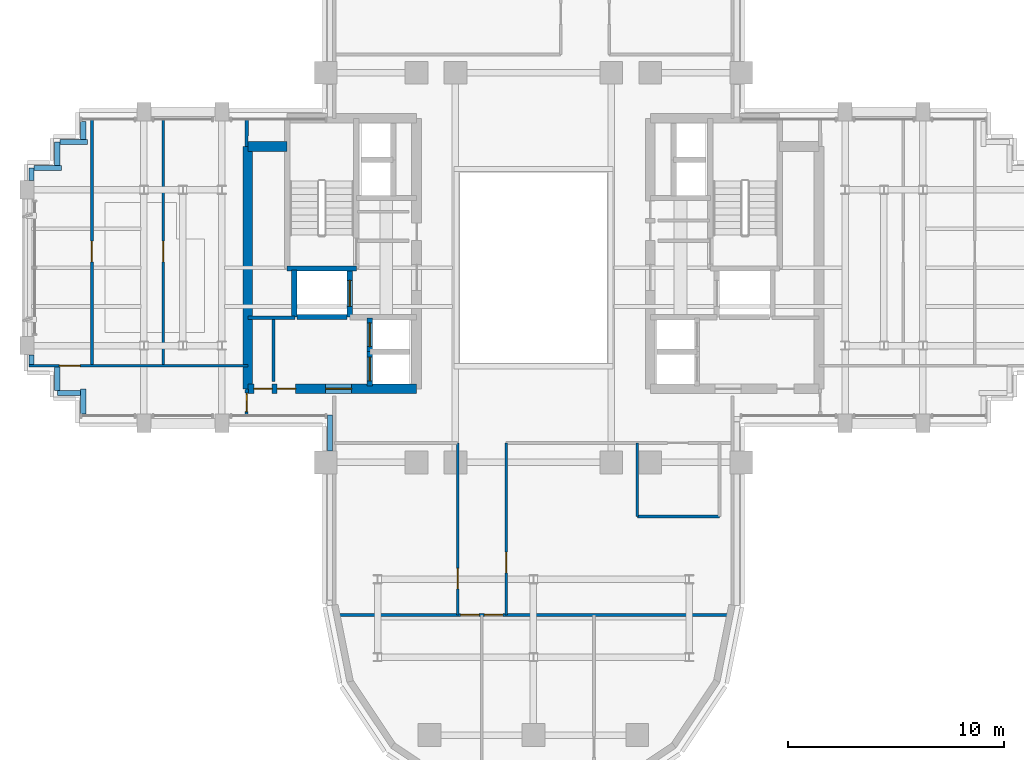
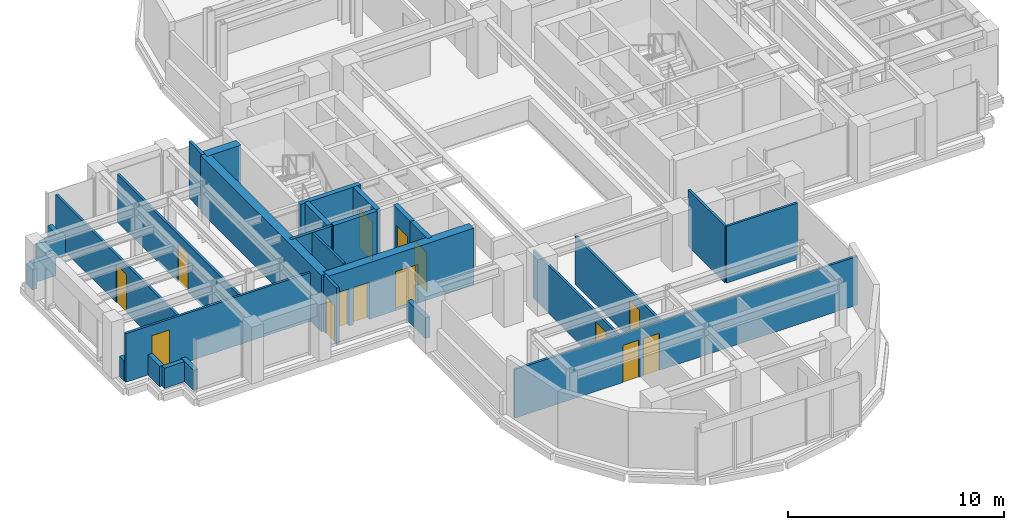
# One storey, part 8 of 14: 31 walls, 14 doors, 14 openings.
"""IFC4 building model written with IfcOpenShell, lengths in metres."""

import ifcopenshell
import ifcopenshell.guid

model = None  # the IFC model being written
_history = None  # IfcOwnerHistory: only IFC2X3 demands one
_inside = {}  # id of a spatial element -> (the spatial element, [elements in it])
_under = {}  # id of a project, library or spatial element -> (it, [spatial elements below it])
_declared = {}  # id of a project -> (the project, [libraries it declares])
_typed = {}  # id of a type object -> (the type object, [elements of that type])
_made_of = {}  # id of a material, layer set ... -> (it, [elements and type objects made of it])


def new_model(schema):
    """Start an empty IFC model of exactly this schema.

    Asked for "IFC4X3", IfcOpenShell would pick the latest addendum, in which some entities
    have other attributes; the version numbers below select the first issue.
    IFC2X3 requires an IfcOwnerHistory on every rooted entity: one is made here for all.
    """
    global model, _history
    if schema == "IFC4X3":
        model = ifcopenshell.file(schema_version=(4, 3, 0, 0))
    else:
        model = ifcopenshell.file(schema=schema)
    _inside.clear()
    _under.clear()
    _declared.clear()
    _typed.clear()
    _made_of.clear()
    _history = None
    if model.schema == "IFC2X3":
        org = make("IfcOrganization", Name="unknown")
        user = make(
            "IfcPersonAndOrganization",
            ThePerson=make("IfcPerson", FamilyName="unknown"),
            TheOrganization=org,
        )
        app = make(
            "IfcApplication",
            ApplicationDeveloper=org,
            Version="unknown",
            ApplicationFullName="unknown",
            ApplicationIdentifier="unknown",
        )
        _history = make(
            "IfcOwnerHistory",
            OwningUser=user,
            OwningApplication=app,
            ChangeAction="ADDED",
            CreationDate=0,
        )
    return model


def make(cls, **values):
    """One entity of the class cls with the attributes given. An attribute that is None is left unset."""
    return model.create_entity(
        cls, **{name: value for name, value in values.items() if value is not None}
    )


def rooted(cls, **values):
    """An entity with a GlobalId (a new one), such as an element, a storey or a relation."""
    return make(cls, GlobalId=ifcopenshell.guid.new(), OwnerHistory=_history, **values)


def si_unit(unit_type, name, prefix=None):
    """IfcSIUnit, for example si_unit("LENGTHUNIT", "METRE", prefix="MILLI")."""
    return make("IfcSIUnit", UnitType=unit_type, Prefix=prefix, Name=name)


def assignment(units):
    """IfcUnitAssignment: the units of a project."""
    return None if units is None else make("IfcUnitAssignment", Units=units)


def point(xyz):
    """IfcCartesianPoint."""
    return None if xyz is None else make("IfcCartesianPoint", Coordinates=xyz)


def direction(xyz):
    """IfcDirection."""
    return None if xyz is None else make("IfcDirection", DirectionRatios=xyz)


def frame(location, z_axis=None, x_axis=None):
    """IfcAxis2Placement3D, a coordinate frame: its origin and axes. An axis left out is left unset."""
    return make(
        "IfcAxis2Placement3D",
        Location=point(location),
        Axis=direction(z_axis),
        RefDirection=direction(x_axis),
    )


def frame_2d(location, x_axis=None):
    """IfcAxis2Placement2D, a coordinate frame in the plane: its origin and x axis."""
    return make(
        "IfcAxis2Placement2D", Location=point(location), RefDirection=direction(x_axis)
    )


def origin():
    """The frame at (0, 0, 0) with its axes left unset."""
    return frame((0.0, 0.0, 0.0))


def place(relative_to, where):
    """IfcLocalPlacement: puts the frame where relative to a parent placement (None: the world)."""
    return make(
        "IfcLocalPlacement", PlacementRelTo=relative_to, RelativePlacement=where
    )


def context(
    kind, dimensions, precision=None, world=None, true_north=None, identifier=None
):
    """IfcGeometricRepresentationContext, for example the 3D "Model" context."""
    return make(
        "IfcGeometricRepresentationContext",
        ContextIdentifier=identifier,
        ContextType=kind,
        CoordinateSpaceDimension=dimensions,
        Precision=precision,
        WorldCoordinateSystem=world,
        TrueNorth=true_north,
    )


def subcontext(parent, identifier, kind, view, scale=None):
    """IfcGeometricRepresentationSubContext, for example "Body" below "Model"."""
    return make(
        "IfcGeometricRepresentationSubContext",
        ContextIdentifier=identifier,
        ContextType=kind,
        ParentContext=parent,
        TargetScale=scale,
        TargetView=view,
    )


def project(units=None, contexts=None):
    """IfcProject with its units and contexts."""
    return rooted(
        "IfcProject",
        Name="project",
        RepresentationContexts=contexts,
        UnitsInContext=assignment(units),
    )


def spatial(cls, under=None, at=None, **own):
    """A site, building, storey or space (cls), placed at a placement, below another one or the project."""
    s = rooted(cls, ObjectPlacement=at, **own)
    if under is not None:
        _under.setdefault(under.id(), (under, []))[1].append(s)
    return s


def profile(cls, at=None, kind="AREA", **sizes):
    """A parametric profile (cls). Its sizes go by their IFC names, for example OverallWidth=200.0."""
    return make(cls, ProfileType=kind, Position=at, **sizes)


def rectangle(**sizes):
    """IfcRectangleProfileDef."""
    return profile("IfcRectangleProfileDef", **sizes)


def extrude(swept, where, along, depth):
    """IfcExtrudedAreaSolid: the profile swept, set in the frame where, extruded along a direction by depth."""
    return make(
        "IfcExtrudedAreaSolid",
        SweptArea=swept,
        Position=where,
        ExtrudedDirection=direction(along),
        Depth=depth,
    )


def shape(context_of_items, identifier, shape_type, items):
    """IfcShapeRepresentation: the items that make up one representation, for example the "Body"."""
    return make(
        "IfcShapeRepresentation",
        ContextOfItems=context_of_items,
        RepresentationIdentifier=identifier,
        RepresentationType=shape_type,
        Items=items,
    )


def source(mapping_origin, context_of_items, identifier, shape_type, items):
    """IfcRepresentationMap: a shape defined once, which mapped items show again and again."""
    return make(
        "IfcRepresentationMap",
        MappingOrigin=mapping_origin,
        MappedRepresentation=shape(context_of_items, identifier, shape_type, items),
    )


def transform(
    local_origin,
    x_axis=None,
    y_axis=None,
    z_axis=None,
    scale=None,
    scale2=None,
    scale3=None,
    uniform=True,
):
    """IfcCartesianTransformationOperator3D, or its non-uniform kind. x_axis, y_axis, z_axis: its Axis1, 2, 3."""
    if uniform:
        return make(
            "IfcCartesianTransformationOperator3D",
            Axis1=direction(x_axis),
            Axis2=direction(y_axis),
            LocalOrigin=point(local_origin),
            Scale=scale,
            Axis3=direction(z_axis),
        )
    return make(
        "IfcCartesianTransformationOperator3DnonUniform",
        Axis1=direction(x_axis),
        Axis2=direction(y_axis),
        LocalOrigin=point(local_origin),
        Scale=scale,
        Axis3=direction(z_axis),
        Scale2=scale2,
        Scale3=scale3,
    )


def mapped(mapping_source, mapping_target):
    """IfcMappedItem: shows the shape of a source again, moved by a transform."""
    return make(
        "IfcMappedItem", MappingSource=mapping_source, MappingTarget=mapping_target
    )


def material(Name=None, Category=None):
    """IfcMaterial."""
    return make("IfcMaterial", Name=Name, Category=Category)


def layer(
    of_material, thickness, ventilated=None, Name=None, Category=None, Priority=None
):
    """IfcMaterialLayer: one layer of a wall or slab, of a material (None: an air gap)."""
    return make(
        "IfcMaterialLayer",
        Material=of_material,
        LayerThickness=thickness,
        IsVentilated=ventilated,
        Name=Name,
        Category=Category,
        Priority=Priority,
    )


def layer_set(layers, Name=None):
    """IfcMaterialLayerSet."""
    return make("IfcMaterialLayerSet", MaterialLayers=layers, LayerSetName=Name)


def made_of(thing, what):
    """Note that an element or type object is made of a material, layer set ...; save() writes the relation."""
    if what is not None:
        _made_of.setdefault(what.id(), (what, []))[1].append(thing)
    return thing


def type_object(cls, material=None, **own):
    """A type object (cls), such as IfcWallType, which elements share."""
    return made_of(rooted(cls, **own), material)


def element(
    cls,
    number,
    at=None,
    inside=None,
    cuts=None,
    type_object=None,
    material=None,
    context=None,
    identifier="Body",
    shape_type=None,
    held_by="IfcProductDefinitionShape",
    body=None,
    shapes=None,
    **own,
):
    """One element of the class cls, such as IfcWall. Its Tag is "e" and its number.

    at: its placement. inside: the storey or other place that contains it. cuts: it is an
    opening in that element (IfcRelVoidsElement). A single representation is given by context,
    identifier, shape_type and body (its items); several are given by shapes. held_by: the class
    of the entity that holds the representations. save() writes the other relations.
    """
    e = rooted(cls, Tag="e%d" % number, ObjectPlacement=at, **own)
    if body is not None:
        shapes = [shape(context, identifier, shape_type, body)]
    if shapes is not None:
        e.Representation = make(held_by, Representations=shapes)
    if inside is not None:
        _inside.setdefault(inside.id(), (inside, []))[1].append(e)
    if cuts is not None:
        rooted(
            "IfcRelVoidsElement", RelatingBuildingElement=cuts, RelatedOpeningElement=e
        )
    if type_object is not None:
        _typed.setdefault(type_object.id(), (type_object, []))[1].append(e)
    return made_of(e, material)


def fill(opening, filler):
    """IfcRelFillsElement: the door or window that sits in an opening."""
    return rooted(
        "IfcRelFillsElement",
        RelatingOpeningElement=opening,
        RelatedBuildingElement=filler,
    )


def aggregate(whole, parts):
    """IfcRelAggregates: a whole, such as a stair, and the parts it consists of."""
    return rooted("IfcRelAggregates", RelatingObject=whole, RelatedObjects=parts)


def save(model, path):
    """Write the relations noted so far, then the file.

    IfcRelAggregates (storeys below a building ...), IfcRelContainedInSpatialStructure (elements
    in a storey), IfcRelDefinesByType, IfcRelAssociatesMaterial and IfcRelDeclares: one each for
    every whole, place, type object, material and project.
    """
    for whole, parts in _under.values():
        aggregate(whole, parts)
    for where, things in _inside.values():
        rooted(
            "IfcRelContainedInSpatialStructure",
            RelatedElements=things,
            RelatingStructure=where,
        )
    for kind, things in _typed.values():
        rooted("IfcRelDefinesByType", RelatedObjects=things, RelatingType=kind)
    for what, things in _made_of.values():
        rooted("IfcRelAssociatesMaterial", RelatedObjects=things, RelatingMaterial=what)
    for by, libraries in _declared.values():
        rooted("IfcRelDeclares", RelatingContext=by, RelatedDefinitions=libraries)
    model.write(path)


model = new_model("IFC4")

# Units and contexts
model_context = context("Model", 3, precision=1e-05, world=origin(), true_north=direction((0.0, 1.0)))
body_context = subcontext(model_context, "Body", "Model", "MODEL_VIEW")
ifc_project = project(units=[si_unit("LENGTHUNIT", "METRE"), si_unit("AREAUNIT", "SQUARE_METRE"), si_unit("VOLUMEUNIT", "CUBIC_METRE"), si_unit("PLANEANGLEUNIT", "RADIAN"), si_unit("MASSUNIT", "GRAM", prefix="KILO")], contexts=[model_context])

# Site, building, storey
site_placement = place(None, origin())
site = spatial("IfcSite", under=ifc_project, at=site_placement, CompositionType="ELEMENT")
building_placement = place(site_placement, origin())
building = spatial("IfcBuilding", under=site, at=building_placement, Name="Keilestroom Media Tower", CompositionType="ELEMENT")
storey_placement = place(building_placement, frame((0.0, 0.0, 121.0)))
storey = spatial("IfcBuildingStorey", under=building, at=storey_placement, Name="L32", CompositionType="ELEMENT", Elevation=121.0)

# Wall
ifc_material_1 = material(Name="Gypsum Plasterboard & Steel Stud", Category="steel")
ifc_layer_1 = layer(ifc_material_1, 0.1201171875)
ifc_layer_set_1 = layer_set([ifc_layer_1], Name="Gypsum Plasterboard & Steel Stud")
wall_type_1 = type_object("IfcWallType", Name="Interior-Partition-Wall-120", PredefinedType="PARTITIONING", material=ifc_layer_set_1)
wall_1_placement = place(storey_placement, frame((-12.010009765625, -5.260009765625, 0.0), z_axis=(0.0, 0.0, 1.0), x_axis=(0.0, 1.0, 0.0)))
element("IfcWall", 1, at=wall_1_placement, inside=storey, type_object=wall_type_1, Name="L32 Interior Wall WP-L32-RECLW-M", PredefinedType="PARTITIONING", context=body_context, shape_type="SweptSolid", body=[
    extrude(rectangle(XDim=2.93994140625, YDim=0.1201171875, at=frame_2d((1.469970703125, 0.0))), origin(), (0.0, 0.0, 1.0), 3.199951171875),
])

# Wall, opening, door
wall_2_placement = place(storey_placement, frame((-3.5, -16.050048828125, 0.0), z_axis=(0.0, 0.0, 1.0), x_axis=(0.0, 1.0, 0.0)))
wall_2 = element("IfcWall", 2, at=wall_2_placement, inside=storey, type_object=wall_type_1, Name="L32 Interior Wall WP-L32-SL-SPW", PredefinedType="PARTITIONING", context=body_context, shape_type="SweptSolid", body=[
    extrude(rectangle(XDim=7.949951171875, YDim=0.1201171875, at=frame_2d((3.97509765625, 0.0))), origin(), (0.0, 0.0, 1.0), 2.699951171875),
])
opening_1_placement = place(wall_2_placement, frame((1.199951171875, 0.0, 0.0)))
opening_1 = element("IfcOpeningElement", 3, at=opening_1_placement, cuts=wall_2, Name="Opening DI-03", PredefinedType="OPENING", context=body_context, shape_type="SweptSolid", body=[
    extrude(rectangle(XDim=0.949951171875, YDim=2.14990234375, at=frame_2d((0.47509765625, 1.074951171875))), frame((0.0, 0.070068359375, 0.0), z_axis=(0.0, -1.0, 0.0), x_axis=(1.0, 0.0, 0.0)), (0.0, 0.0, 1.0), 0.14013671875),
])
ifc_material_2 = material(Name="Lacquered European Oak Leaf", Category="wood")
door_type_1 = type_object("IfcDoorType", Name="Interior-Room-And-Suite-Door-DI-03", OperationType="NOTDEFINED", PredefinedType="DOOR", material=ifc_material_2)
shared_shape_1 = source(origin(), body_context, "Body", "SweptSolid", [
    extrude(rectangle(XDim=0.949951171875, YDim=2.14990234375, at=frame_2d((0.47509765625, 1.074951171875))), frame((0.0, 0.02490234375, 0.0), z_axis=(0.0, -1.0, 0.0), x_axis=(1.0, 0.0, 0.0)), (0.0, 0.0, 1.0), 0.050048828125),
])
door_1_placement = place(opening_1_placement, origin())
door_1 = element("IfcDoor", 4, at=door_1_placement, inside=storey, type_object=door_type_1, Name="L32 Interior Door DI-L32-DSL-W1", OperationType="SINGLE_SWING_RIGHT", OverallHeight=2.14990234375, OverallWidth=0.949951171875, PredefinedType="DOOR", context=body_context, shape_type="MappedRepresentation", body=[
    mapped(shared_shape_1, transform((0.0, 0.0, 0.0), x_axis=(1.0, 0.0, 0.0), y_axis=(0.0, 1.0, 0.0), z_axis=(0.0, 0.0, 1.0), scale=1.0)),
])
fill(opening_1, door_1)

wall_3_placement = place(storey_placement, frame((-1.260009765625, -16.050048828125, 0.0), z_axis=(0.0, 0.0, 1.0), x_axis=(0.0, 1.0, 0.0)))
wall_3 = element("IfcWall", 5, at=wall_3_placement, inside=storey, type_object=wall_type_1, Name="L32 Interior Wall WP-L32-SL-SPE", PredefinedType="PARTITIONING", context=body_context, shape_type="SweptSolid", body=[
    extrude(rectangle(XDim=7.949951171875, YDim=0.1201171875, at=frame_2d((3.97509765625, 0.0))), origin(), (0.0, 0.0, 1.0), 2.699951171875),
])
opening_2_placement = place(wall_3_placement, frame((1.949951171875, 0.0, 0.0)))
opening_2 = element("IfcOpeningElement", 6, at=opening_2_placement, cuts=wall_3, Name="Opening DI-03", PredefinedType="OPENING", context=body_context, shape_type="SweptSolid", body=[
    extrude(rectangle(XDim=0.949951171875, YDim=2.14990234375, at=frame_2d((0.47509765625, 1.074951171875))), frame((0.0, 0.070068359375, 0.0), z_axis=(0.0, -1.0, 0.0), x_axis=(1.0, 0.0, 0.0)), (0.0, 0.0, 1.0), 0.14013671875),
])
door_2_placement = place(opening_2_placement, origin())
door_2 = element("IfcDoor", 7, at=door_2_placement, inside=storey, type_object=door_type_1, Name="L32 Interior Door DI-L32-DSL-E1", OperationType="SINGLE_SWING_LEFT", OverallHeight=2.14990234375, OverallWidth=0.949951171875, PredefinedType="DOOR", context=body_context, shape_type="MappedRepresentation", body=[
    mapped(shared_shape_1, transform((0.0, 0.0, 0.0), x_axis=(1.0, 0.0, 0.0), y_axis=(0.0, 1.0, 0.0), z_axis=(0.0, 0.0, 1.0), scale=1.0)),
])
fill(opening_2, door_2)

# Wall, openings, doors
wall_4_placement = place(storey_placement, frame((-9.159912109375, -16.050048828125, 0.0), z_axis=(0.0, 0.0, 1.0), x_axis=(1.0, 0.0, 0.0)))
wall_4 = element("IfcWall", 8, at=wall_4_placement, inside=storey, type_object=wall_type_1, Name="L32 Interior Wall WP-L32-SL-STIPW", PredefinedType="PARTITIONING", context=body_context, shape_type="SweptSolid", body=[
    extrude(rectangle(XDim=18.31982421875, YDim=0.1201171875, at=frame_2d((9.159912109375, 0.0))), origin(), (0.0, 0.0, 1.0), 2.75),
])
opening_3_placement = place(wall_4_placement, frame((5.800048828125, 0.0, 0.0)))
opening_3 = element("IfcOpeningElement", 9, at=opening_3_placement, cuts=wall_4, Name="Opening DI-05", PredefinedType="OPENING", context=body_context, shape_type="SweptSolid", body=[
    extrude(rectangle(XDim=0.85009765625, YDim=2.10009765625, at=frame_2d((0.425048828125, 1.050048828125))), frame((0.0, 0.070068359375, 0.0), z_axis=(0.0, -1.0, 0.0), x_axis=(1.0, 0.0, 0.0)), (0.0, 0.0, 1.0), 0.14013671875),
])
opening_4_placement = place(wall_4_placement, frame((6.89990234375, 0.0, 0.0)))
opening_4 = element("IfcOpeningElement", 10, at=opening_4_placement, cuts=wall_4, Name="Opening DI-05", PredefinedType="OPENING", context=body_context, shape_type="SweptSolid", body=[
    extrude(rectangle(XDim=0.85009765625, YDim=2.10009765625, at=frame_2d((0.425048828125, 1.050048828125))), frame((0.0, 0.070068359375, 0.0), z_axis=(0.0, -1.0, 0.0), x_axis=(1.0, 0.0, 0.0)), (0.0, 0.0, 1.0), 0.14013671875),
])
ifc_material_3 = material(Name="Moisture-Resistant Oak Leaf", Category="wood")
door_type_2 = type_object("IfcDoorType", Name="Interior-En-Suite-And-Cupboard-Door-DI-05", OperationType="NOTDEFINED", PredefinedType="DOOR", material=ifc_material_3)
shared_shape_2 = source(origin(), body_context, "Body", "SweptSolid", [
    extrude(rectangle(XDim=0.85009765625, YDim=2.10009765625, at=frame_2d((0.425048828125, 1.050048828125))), frame((0.0, 0.02490234375, 0.0), z_axis=(0.0, -1.0, 0.0), x_axis=(1.0, 0.0, 0.0)), (0.0, 0.0, 1.0), 0.050048828125),
])
door_3_placement = place(opening_3_placement, origin())
door_3 = element("IfcDoor", 11, at=door_3_placement, inside=storey, type_object=door_type_2, Name="L32 Interior Door DI-L32-DSL-TIP1", OperationType="SINGLE_SWING_RIGHT", OverallHeight=2.10009765625, OverallWidth=0.85009765625, PredefinedType="DOOR", context=body_context, shape_type="MappedRepresentation", body=[
    mapped(shared_shape_2, transform((0.0, 0.0, 0.0), x_axis=(1.0, 0.0, 0.0), y_axis=(0.0, 1.0, 0.0), z_axis=(0.0, 0.0, 1.0), scale=1.0)),
])
fill(opening_3, door_3)
door_4_placement = place(opening_4_placement, origin())
door_4 = element("IfcDoor", 12, at=door_4_placement, inside=storey, type_object=door_type_2, Name="L32 Interior Door DI-L32-DSL-TIP2", OperationType="SINGLE_SWING_LEFT", OverallHeight=2.10009765625, OverallWidth=0.85009765625, PredefinedType="DOOR", context=body_context, shape_type="MappedRepresentation", body=[
    mapped(shared_shape_2, transform((0.0, 0.0, 0.0), x_axis=(1.0, 0.0, 0.0), y_axis=(0.0, 1.0, 0.0), z_axis=(0.0, 0.0, 1.0), scale=1.0)),
])
fill(opening_4, door_4)

# Walls
wall_5_placement = place(storey_placement, frame((4.800048828125, -11.5, 0.0), z_axis=(0.0, 0.0, 1.0), x_axis=(1.0, 0.0, 0.0)))
element("IfcWall", 13, at=wall_5_placement, inside=storey, type_object=wall_type_1, Name="L32 Interior Wall WP-L32-SL-WC-S", PredefinedType="PARTITIONING", context=body_context, shape_type="SweptSolid", body=[
    extrude(rectangle(XDim=3.800048828125, YDim=0.1201171875, at=frame_2d((1.89990234375, 0.0))), origin(), (0.0, 0.0, 1.0), 3.199951171875),
])
wall_6_placement = place(storey_placement, frame((4.800048828125, -11.5, 0.0), z_axis=(0.0, 0.0, 1.0), x_axis=(0.0, 1.0, 0.0)))
element("IfcWall", 14, at=wall_6_placement, inside=storey, type_object=wall_type_1, Name="L32 Interior Wall WP-L32-SL-WC-W", PredefinedType="PARTITIONING", context=body_context, shape_type="SweptSolid", body=[
    extrude(rectangle(XDim=3.39990234375, YDim=0.1201171875, at=frame_2d((1.699951171875, 0.0))), origin(), (0.0, 0.0, 1.0), 3.199951171875),
])

# Wall, opening, door
wall_7_placement = place(storey_placement, frame((-23.300048828125, -4.530029296875, 0.0), z_axis=(0.0, 0.0, 1.0), x_axis=(1.0, 0.0, 0.0)))
wall_7 = element("IfcWall", 15, at=wall_7_placement, inside=storey, type_object=wall_type_1, Name="L32 Interior Wall WP-L32-WA-CN", PredefinedType="PARTITIONING", context=body_context, shape_type="SweptSolid", body=[
    extrude(rectangle(XDim=10.10009765625, YDim=0.1201171875, at=frame_2d((5.050048828125, 0.0))), origin(), (0.0, 0.0, 1.0), 2.75),
])
opening_5_placement = place(wall_7_placement, frame((1.39990234375, 0.0, 0.0)))
opening_5 = element("IfcOpeningElement", 16, at=opening_5_placement, cuts=wall_7, Name="Opening DI-03", PredefinedType="OPENING", context=body_context, shape_type="SweptSolid", body=[
    extrude(rectangle(XDim=0.949951171875, YDim=2.14990234375, at=frame_2d((0.47509765625, 1.074951171875))), frame((0.0, 0.070068359375, 0.0), z_axis=(0.0, -1.0, 0.0), x_axis=(1.0, 0.0, 0.0)), (0.0, 0.0, 1.0), 0.14013671875),
])
door_5_placement = place(opening_5_placement, origin())
door_5 = element("IfcDoor", 17, at=door_5_placement, inside=storey, type_object=door_type_1, Name="L32 Interior Door DI-L32-DWA-RN1", OperationType="SINGLE_SWING_LEFT", OverallHeight=2.14990234375, OverallWidth=0.949951171875, PredefinedType="DOOR", context=body_context, shape_type="MappedRepresentation", body=[
    mapped(shared_shape_1, transform((0.0, 0.0, 0.0), x_axis=(1.0, 0.0, 0.0), y_axis=(0.0, 1.0, 0.0), z_axis=(0.0, 0.0, 1.0), scale=1.0)),
])
fill(opening_5, door_5)

wall_8_placement = place(storey_placement, frame((-20.39990234375, -4.530029296875, 0.0), z_axis=(0.0, 0.0, 1.0), x_axis=(0.0, 1.0, 0.0)))
wall_8 = element("IfcWall", 18, at=wall_8_placement, inside=storey, type_object=wall_type_1, Name="L32 Interior Wall WP-L32-WA-VM1", PredefinedType="PARTITIONING", context=body_context, shape_type="SweptSolid", body=[
    extrude(rectangle(XDim=11.380126953125, YDim=0.1201171875, at=frame_2d((5.68994140625, 0.0))), origin(), (0.0, 0.0, 1.0), 2.699951171875),
])
opening_6_placement = place(wall_8_placement, frame((4.800048828125, 0.0, 0.0)))
opening_6 = element("IfcOpeningElement", 19, at=opening_6_placement, cuts=wall_8, Name="Opening DI-03", PredefinedType="OPENING", context=body_context, shape_type="SweptSolid", body=[
    extrude(rectangle(XDim=0.949951171875, YDim=2.14990234375, at=frame_2d((0.47509765625, 1.074951171875))), frame((0.0, 0.070068359375, 0.0), z_axis=(0.0, -1.0, 0.0), x_axis=(1.0, 0.0, 0.0)), (0.0, 0.0, 1.0), 0.14013671875),
])
door_6_placement = place(opening_6_placement, origin())
door_6 = element("IfcDoor", 20, at=door_6_placement, inside=storey, type_object=door_type_1, Name="L32 Interior Door DI-L32-DWA-RN2", OperationType="SINGLE_SWING_RIGHT", OverallHeight=2.14990234375, OverallWidth=0.949951171875, PredefinedType="DOOR", context=body_context, shape_type="MappedRepresentation", body=[
    mapped(shared_shape_1, transform((0.0, 0.0, 0.0), x_axis=(1.0, 0.0, 0.0), y_axis=(0.0, 1.0, 0.0), z_axis=(0.0, 0.0, 1.0), scale=1.0)),
])
fill(opening_6, door_6)

wall_9_placement = place(storey_placement, frame((-17.10009765625, -4.530029296875, 0.0), z_axis=(0.0, 0.0, 1.0), x_axis=(0.0, 1.0, 0.0)))
wall_9 = element("IfcWall", 21, at=wall_9_placement, inside=storey, type_object=wall_type_1, Name="L32 Interior Wall WP-L32-WA-VM2", PredefinedType="PARTITIONING", context=body_context, shape_type="SweptSolid", body=[
    extrude(rectangle(XDim=11.380126953125, YDim=0.1201171875, at=frame_2d((5.68994140625, 0.0))), origin(), (0.0, 0.0, 1.0), 2.699951171875),
])
opening_7_placement = place(wall_9_placement, frame((4.800048828125, 0.0, 0.0)))
opening_7 = element("IfcOpeningElement", 22, at=opening_7_placement, cuts=wall_9, Name="Opening DI-03", PredefinedType="OPENING", context=body_context, shape_type="SweptSolid", body=[
    extrude(rectangle(XDim=0.949951171875, YDim=2.14990234375, at=frame_2d((0.47509765625, 1.074951171875))), frame((0.0, 0.070068359375, 0.0), z_axis=(0.0, -1.0, 0.0), x_axis=(1.0, 0.0, 0.0)), (0.0, 0.0, 1.0), 0.14013671875),
])
door_7_placement = place(opening_7_placement, origin())
door_7 = element("IfcDoor", 23, at=door_7_placement, inside=storey, type_object=door_type_1, Name="L32 Interior Door DI-L32-DWA-RN3", OperationType="SINGLE_SWING_LEFT", OverallHeight=2.14990234375, OverallWidth=0.949951171875, PredefinedType="DOOR", context=body_context, shape_type="MappedRepresentation", body=[
    mapped(shared_shape_1, transform((0.0, 0.0, 0.0), x_axis=(1.0, 0.0, 0.0), y_axis=(0.0, 1.0, 0.0), z_axis=(0.0, 0.0, 1.0), scale=1.0)),
])
fill(opening_7, door_7)

# Walls
ifc_layer_2 = layer(ifc_material_1, 0.14990234375)
ifc_layer_set_2 = layer_set([ifc_layer_2], Name="Gypsum Plasterboard & Steel Stud")
wall_type_2 = type_object("IfcWallType", Name="Interior-Partition-Wall-150", PredefinedType="PARTITIONING", material=ifc_layer_set_2)
wall_10_placement = place(storey_placement, frame((-13.199951171875, -2.320068359375, 0.0), z_axis=(0.0, 0.0, 1.0), x_axis=(1.0, 0.0, 0.0)))
element("IfcWall", 24, at=wall_10_placement, inside=storey, type_object=wall_type_2, Name="L32 Interior Wall WP-L32-RECLW-N", PredefinedType="PARTITIONING", context=body_context, shape_type="SweptSolid", body=[
    extrude(rectangle(XDim=2.179931640625, YDim=0.14990234375, at=frame_2d((1.08984375, 0.0))), origin(), (0.0, 0.0, 1.0), 3.199951171875),
])
wall_11_placement = place(storey_placement, frame((-13.260009765625, 5.60009765625, 0.0), z_axis=(0.0, 0.0, 1.0), x_axis=(0.016013571389, 0.999871774545, 0.0)))
element("IfcWall", 25, at=wall_11_placement, inside=storey, type_object=wall_type_2, Name="L32 Interior Wall WP-L32-WA-ENTN", PredefinedType="PARTITIONING", context=body_context, shape_type="SweptSolid", body=[
    extrude(rectangle(XDim=1.250244140625, YDim=0.14990234375, at=frame_2d((0.625, 0.0))), origin(), (0.0, 0.0, 1.0), 3.199951171875),
])

# Wall, opening, door
wall_12_placement = place(storey_placement, frame((-13.260009765625, -6.85009765625, 0.0), z_axis=(0.0, 0.0, 1.0), x_axis=(0.016013571389, 0.999871774545, 0.0)))
wall_12 = element("IfcWall", 26, at=wall_12_placement, inside=storey, type_object=wall_type_2, Name="L32 Interior Wall WP-L32-WA-ENTS", PredefinedType="PARTITIONING", context=body_context, shape_type="SweptSolid", body=[
    extrude(rectangle(XDim=1.250244140625, YDim=0.14990234375, at=frame_2d((0.625, 0.0))), origin(), (0.0, 0.0, 1.0), 3.199951171875),
])
opening_8_placement = place(wall_12_placement, frame((0.199951171875, 0.0, 0.0)))
opening_8 = element("IfcOpeningElement", 27, at=opening_8_placement, cuts=wall_12, Name="Opening DI-05", PredefinedType="OPENING", context=body_context, shape_type="SweptSolid", body=[
    extrude(rectangle(XDim=0.85009765625, YDim=2.10009765625, at=frame_2d((0.425048828125, 1.050048828125))), frame((0.0, 0.0849609375, 0.0), z_axis=(0.0, -1.0, 0.0), x_axis=(1.0, 0.0, 0.0)), (0.0, 0.0, 1.0), 0.169921875),
])
door_8_placement = place(opening_8_placement, origin())
door_8 = element("IfcDoor", 28, at=door_8_placement, inside=storey, type_object=door_type_2, Name="L32 Interior Door DI-L32-DWA-ENTS", OperationType="SINGLE_SWING_LEFT", OverallHeight=2.10009765625, OverallWidth=0.85009765625, PredefinedType="DOOR", context=body_context, shape_type="MappedRepresentation", body=[
    mapped(shared_shape_2, transform((0.0, 0.0, 0.0), x_axis=(1.0, 0.0, 0.0), y_axis=(0.0, 1.0, 0.0), z_axis=(0.0, 0.0, 1.0), scale=1.0)),
])
fill(opening_8, door_8)

# Walls
ifc_material_4 = material(Name="Concrete C55/67", Category="concrete")
ifc_layer_3 = layer(ifc_material_4, 0.449951171875)
ifc_layer_set_3 = layer_set([ifc_layer_3], Name="Concrete C55/67")
wall_type_3 = type_object("IfcWallType", Name="Reinforced-Concrete-Core-Shear-Wall-450", PredefinedType="SHEAR", material=ifc_layer_set_3)
wall_13_placement = place(storey_placement, frame((-13.199951171875, -5.60009765625, 0.0), z_axis=(0.0, 0.0, 1.0), x_axis=(0.0, 1.0, 0.0)))
element("IfcWall", 29, at=wall_13_placement, inside=storey, type_object=wall_type_3, Name="L32 Core Shear Wall WL-L32-CORE-W-OUT", PredefinedType="SHEAR", context=body_context, shape_type="SweptSolid", body=[
    extrude(rectangle(XDim=11.2001953125, YDim=0.449951171875, at=frame_2d((5.60009765625, 0.0))), origin(), (0.0, 0.0, 1.0), 3.199951171875),
])
wall_14_placement = place(storey_placement, frame((-13.199951171875, 5.60009765625, 0.0), z_axis=(0.0, 0.0, 1.0), x_axis=(1.0, 0.0, 0.0)))
element("IfcWall", 30, at=wall_14_placement, inside=storey, type_object=wall_type_3, Name="L32 Core Shear Wall WL-L32-CNW-N", PredefinedType="SHEAR", context=body_context, shape_type="SweptSolid", body=[
    extrude(rectangle(XDim=1.81884765625, YDim=0.449951171875, at=frame_2d((0.909423828125, 0.0))), origin(), (0.0, 0.0, 1.0), 3.199951171875),
])

# Wall, openings, doors
wall_15_placement = place(storey_placement, frame((-13.199951171875, -5.60009765625, 0.0), z_axis=(0.0, 0.0, 1.0), x_axis=(1.0, 0.0, 0.0)))
wall_15 = element("IfcWall", 31, at=wall_15_placement, inside=storey, type_object=wall_type_3, Name="L32 Core Shear Wall WL-L32-CORE-W-S", PredefinedType="SHEAR", context=body_context, shape_type="SweptSolid", body=[
    extrude(rectangle(XDim=7.800048828125, YDim=0.449951171875, at=frame_2d((3.89990234375, 0.0))), origin(), (0.0, 0.0, 1.0), 3.199951171875),
])
opening_9_placement = place(wall_15_placement, frame((3.60009765625, 0.0, 0.0)))
opening_9 = element("IfcOpeningElement", 32, at=opening_9_placement, cuts=wall_15, Name="Opening DI-02", PredefinedType="OPENING", context=body_context, shape_type="SweptSolid", body=[
    extrude(rectangle(XDim=1.199951171875, YDim=2.199951171875, at=frame_2d((0.60009765625, 1.10009765625))), frame((0.0, 0.23486328125, 0.0), z_axis=(0.0, -1.0, 0.0), x_axis=(1.0, 0.0, 0.0)), (0.0, 0.0, 1.0), 0.469970703125),
])
opening_10_placement = place(wall_15_placement, frame((0.280029296875, 0.0, 0.0)))
opening_10 = element("IfcOpeningElement", 33, at=opening_10_placement, cuts=wall_15, Name="Opening DI-05", PredefinedType="OPENING", context=body_context, shape_type="SweptSolid", body=[
    extrude(rectangle(XDim=0.85009765625, YDim=2.10009765625, at=frame_2d((0.425048828125, 1.050048828125))), frame((0.0, 0.23486328125, 0.0), z_axis=(0.0, -1.0, 0.0), x_axis=(1.0, 0.0, 0.0)), (0.0, 0.0, 1.0), 0.469970703125),
])
opening_11_placement = place(wall_15_placement, frame((1.360107421875, 0.0, 0.0)))
opening_11 = element("IfcOpeningElement", 34, at=opening_11_placement, cuts=wall_15, Name="Opening DI-05", PredefinedType="OPENING", context=body_context, shape_type="SweptSolid", body=[
    extrude(rectangle(XDim=0.85009765625, YDim=2.10009765625, at=frame_2d((0.425048828125, 1.050048828125))), frame((0.0, 0.23486328125, 0.0), z_axis=(0.0, -1.0, 0.0), x_axis=(1.0, 0.0, 0.0)), (0.0, 0.0, 1.0), 0.469970703125),
])
ifc_material_5 = material(Name="Powder-Coated Steel Fire Leaf", Category="steel")
door_type_3 = type_object("IfcDoorType", Name="Interior-Compartment-Fire-Door-DI-02", OperationType="NOTDEFINED", PredefinedType="DOOR", material=ifc_material_5)
shared_shape_3 = source(origin(), body_context, "Body", "SweptSolid", [
    extrude(rectangle(XDim=1.199951171875, YDim=2.199951171875, at=frame_2d((0.60009765625, 1.10009765625))), frame((0.0, 0.02490234375, 0.0), z_axis=(0.0, -1.0, 0.0), x_axis=(1.0, 0.0, 0.0)), (0.0, 0.0, 1.0), 0.050048828125),
])
door_9_placement = place(opening_9_placement, origin())
door_9 = element("IfcDoor", 35, at=door_9_placement, inside=storey, type_object=door_type_3, Name="L32 W Passenger Lift Lobby Door", OperationType="SINGLE_SWING_LEFT", OverallHeight=2.199951171875, OverallWidth=1.199951171875, PredefinedType="DOOR", context=body_context, shape_type="MappedRepresentation", body=[
    mapped(shared_shape_3, transform((0.0, 0.0, 0.0), x_axis=(1.0, 0.0, 0.0), y_axis=(0.0, 1.0, 0.0), z_axis=(0.0, 0.0, 1.0), scale=1.0)),
])
fill(opening_9, door_9)
door_10_placement = place(opening_10_placement, origin())
door_10 = element("IfcDoor", 36, at=door_10_placement, inside=storey, type_object=door_type_2, Name="L32 Reclaimed West Closet 1 Door", OperationType="SINGLE_SWING_LEFT", OverallHeight=2.10009765625, OverallWidth=0.85009765625, PredefinedType="DOOR", context=body_context, shape_type="MappedRepresentation", body=[
    mapped(shared_shape_2, transform((0.0, 0.0, 0.0), x_axis=(1.0, 0.0, 0.0), y_axis=(0.0, 1.0, 0.0), z_axis=(0.0, 0.0, 1.0), scale=1.0)),
])
fill(opening_10, door_10)
door_11_placement = place(opening_11_placement, origin())
door_11 = element("IfcDoor", 37, at=door_11_placement, inside=storey, type_object=door_type_2, Name="L32 Reclaimed West Closet 2 Door", OperationType="SINGLE_SWING_RIGHT", OverallHeight=2.10009765625, OverallWidth=0.85009765625, PredefinedType="DOOR", context=body_context, shape_type="MappedRepresentation", body=[
    mapped(shared_shape_2, transform((0.0, 0.0, 0.0), x_axis=(1.0, 0.0, 0.0), y_axis=(0.0, 1.0, 0.0), z_axis=(0.0, 0.0, 1.0), scale=1.0)),
])
fill(opening_11, door_11)

# Walls
ifc_material_6 = material(Name="Concrete C50/60", Category="concrete")
ifc_layer_4 = layer(ifc_material_6, 0.25)
ifc_layer_set_4 = layer_set([ifc_layer_4], Name="Concrete C50/60")
wall_type_4 = type_object("IfcWallType", Name="Reinforced-Concrete-Shaft-Wall-250", PredefinedType="SOLIDWALL", material=ifc_layer_set_4)
wall_16_placement = place(storey_placement, frame((-11.381103515625, -0.041015625, 0.0), z_axis=(0.0, 0.0, 1.0), x_axis=(1.0, 0.0, 0.0)))
element("IfcWall", 38, at=wall_16_placement, inside=storey, type_object=wall_type_4, Name="L32 Core Shear Wall WL-L32-STW-W-S", PredefinedType="SOLIDWALL", context=body_context, shape_type="SweptSolid", body=[
    extrude(rectangle(XDim=3.2021484375, YDim=0.25, at=frame_2d((1.60107421875, 0.0))), origin(), (0.0, 0.0, 1.0), 3.199951171875),
])
wall_17_placement = place(storey_placement, frame((-11.050048828125, -2.280029296875, 0.0), z_axis=(0.0, 0.0, 1.0), x_axis=(0.0, 1.0, 0.0)))
element("IfcWall", 39, at=wall_17_placement, inside=storey, type_object=wall_type_4, Name="L32 Core Shear Wall WL-L32-LSH-FFL-1-W", PredefinedType="SOLIDWALL", context=body_context, shape_type="SweptSolid", body=[
    extrude(rectangle(XDim=2.179931640625, YDim=0.25, at=frame_2d((1.08984375, 0.0))), origin(), (0.0, 0.0, 1.0), 3.199951171875),
])

# Wall, opening, door
wall_18_placement = place(storey_placement, frame((-8.47998046875, -2.280029296875, 0.0), z_axis=(0.0, 0.0, 1.0), x_axis=(0.0, 1.0, 0.0)))
wall_18 = element("IfcWall", 40, at=wall_18_placement, inside=storey, type_object=wall_type_4, Name="L32 Core Shear Wall WL-L32-LSH-FFL-1-E", PredefinedType="SOLIDWALL", context=body_context, shape_type="SweptSolid", body=[
    extrude(rectangle(XDim=2.179931640625, YDim=0.25, at=frame_2d((1.08984375, 0.0))), origin(), (0.0, 0.0, 1.0), 3.199951171875),
])
opening_12_placement = place(wall_18_placement, frame((0.489990234375, 0.0, 0.0)))
opening_12 = element("IfcOpeningElement", 41, at=opening_12_placement, cuts=wall_18, Name="Opening LD-02", PredefinedType="OPENING", context=body_context, shape_type="SweptSolid", body=[
    extrude(rectangle(XDim=1.199951171875, YDim=2.199951171875, at=frame_2d((0.60009765625, 1.10009765625))), frame((0.0, 0.135009765625, 0.0), z_axis=(0.0, -1.0, 0.0), x_axis=(1.0, 0.0, 0.0)), (0.0, 0.0, 1.0), 0.27001953125),
])
ifc_material_7 = material(Name="Brushed Stainless Steel Sliding Leaf", Category="steel")
door_type_4 = type_object("IfcDoorType", Name="Lift-Landing-Sliding-Door-LD-02", OperationType="SLIDING_TO_RIGHT", PredefinedType="DOOR", material=ifc_material_7)
door_12_placement = place(opening_12_placement, origin())
door_12 = element("IfcDoor", 42, at=door_12_placement, inside=storey, type_object=door_type_4, Name="L32 Lift FFL-1 Landing Sliding Door", OperationType="SLIDING_TO_RIGHT", OverallHeight=2.199951171875, OverallWidth=1.199951171875, PredefinedType="DOOR", context=body_context, shape_type="MappedRepresentation", body=[
    mapped(shared_shape_3, transform((0.0, 0.0, 0.0), x_axis=(1.0, 0.0, 0.0), y_axis=(0.0, 1.0, 0.0), z_axis=(0.0, 0.0, 1.0), scale=1.0)),
])
fill(opening_12, door_12)

# Wall
wall_19_placement = place(storey_placement, frame((-10.9208984375, -2.280029296875, 0.0), z_axis=(0.0, 0.0, 1.0), x_axis=(1.0, 0.0, 0.0)))
element("IfcWall", 43, at=wall_19_placement, inside=storey, type_object=wall_type_4, Name="L32 Core Shear Wall WL-L32-LSH-FFL-1-S", PredefinedType="SOLIDWALL", context=body_context, shape_type="SweptSolid", body=[
    extrude(rectangle(XDim=2.31201171875, YDim=0.25, at=frame_2d((1.156005859375, 0.0))), origin(), (0.0, 0.0, 1.0), 3.199951171875),
])

# Wall, opening, door
wall_20_placement = place(storey_placement, frame((-7.56005859375, -5.47998046875, 0.0), z_axis=(0.0, 0.0, 1.0), x_axis=(0.0, 1.0, 0.0)))
wall_20 = element("IfcWall", 44, at=wall_20_placement, inside=storey, type_object=wall_type_4, Name="L32 Core Shear Wall WL-L32-LSH-PL-M1-W", PredefinedType="SOLIDWALL", context=body_context, shape_type="SweptSolid", body=[
    extrude(rectangle(XDim=1.60009765625, YDim=0.25, at=frame_2d((0.800048828125, 0.0))), origin(), (0.0, 0.0, 1.0), 3.199951171875),
])
opening_13_placement = place(wall_20_placement, frame((0.25, 0.0, 0.0)))
opening_13 = element("IfcOpeningElement", 45, at=opening_13_placement, cuts=wall_20, Name="Opening LD-01", PredefinedType="OPENING", context=body_context, shape_type="SweptSolid", body=[
    extrude(rectangle(XDim=1.10009765625, YDim=2.199951171875, at=frame_2d((0.550048828125, 1.10009765625))), frame((0.0, 0.135009765625, 0.0), z_axis=(0.0, -1.0, 0.0), x_axis=(1.0, 0.0, 0.0)), (0.0, 0.0, 1.0), 0.27001953125),
])
door_type_5 = type_object("IfcDoorType", Name="Lift-Landing-Sliding-Door-LD-01", OperationType="SLIDING_TO_LEFT", PredefinedType="DOOR", material=ifc_material_7)
shared_shape_4 = source(origin(), body_context, "Body", "SweptSolid", [
    extrude(rectangle(XDim=1.10009765625, YDim=2.199951171875, at=frame_2d((0.550048828125, 1.10009765625))), frame((0.0, 0.02490234375, 0.0), z_axis=(0.0, -1.0, 0.0), x_axis=(1.0, 0.0, 0.0)), (0.0, 0.0, 1.0), 0.050048828125),
])
door_13_placement = place(opening_13_placement, origin())
door_13 = element("IfcDoor", 46, at=door_13_placement, inside=storey, type_object=door_type_5, Name="L32 Lift PL-M1 Landing Sliding Door", OperationType="SLIDING_TO_LEFT", OverallHeight=2.199951171875, OverallWidth=1.10009765625, PredefinedType="DOOR", context=body_context, shape_type="MappedRepresentation", body=[
    mapped(shared_shape_4, transform((0.0, 0.0, 0.0), x_axis=(1.0, 0.0, 0.0), y_axis=(0.0, 1.0, 0.0), z_axis=(0.0, 0.0, 1.0), scale=1.0)),
])
fill(opening_13, door_13)

wall_21_placement = place(storey_placement, frame((-7.56005859375, -3.8798828125, 0.0), z_axis=(0.0, 0.0, 1.0), x_axis=(0.0, 1.0, 0.0)))
wall_21 = element("IfcWall", 47, at=wall_21_placement, inside=storey, type_object=wall_type_4, Name="L32 Core Shear Wall WL-L32-LSH-PL-M2-W", PredefinedType="SOLIDWALL", context=body_context, shape_type="SweptSolid", body=[
    extrude(rectangle(XDim=1.559814453125, YDim=0.25, at=frame_2d((0.77978515625, 0.0))), origin(), (0.0, 0.0, 1.0), 3.199951171875),
])
opening_14_placement = place(wall_21_placement, frame((0.22998046875, 0.0, 0.0)))
opening_14 = element("IfcOpeningElement", 48, at=opening_14_placement, cuts=wall_21, Name="Opening LD-01", PredefinedType="OPENING", context=body_context, shape_type="SweptSolid", body=[
    extrude(rectangle(XDim=1.10009765625, YDim=2.199951171875, at=frame_2d((0.550048828125, 1.10009765625))), frame((0.0, 0.135009765625, 0.0), z_axis=(0.0, -1.0, 0.0), x_axis=(1.0, 0.0, 0.0)), (0.0, 0.0, 1.0), 0.27001953125),
])
door_14_placement = place(opening_14_placement, origin())
door_14 = element("IfcDoor", 49, at=door_14_placement, inside=storey, type_object=door_type_5, Name="L32 Lift PL-M2 Landing Sliding Door", OperationType="SLIDING_TO_LEFT", OverallHeight=2.199951171875, OverallWidth=1.10009765625, PredefinedType="DOOR", context=body_context, shape_type="MappedRepresentation", body=[
    mapped(shared_shape_4, transform((0.0, 0.0, 0.0), x_axis=(1.0, 0.0, 0.0), y_axis=(0.0, 1.0, 0.0), z_axis=(0.0, 0.0, 1.0), scale=1.0)),
])
fill(opening_14, door_14)

# Walls
ifc_material_8 = material(Name="Precast concrete C40/50", Category="concrete")
ifc_layer_5 = layer(ifc_material_8, 0.239990234375)
ifc_layer_set_5 = layer_set([ifc_layer_5], Name="Precast concrete C40/50")
wall_type_5 = type_object("IfcWallType", Name="Roof-And-Terrace-Parapet-Wall-240", PredefinedType="PARAPET", material=ifc_layer_set_5)
wall_22_placement = place(storey_placement, frame((-9.39990234375, -8.471923828125, 0.0), z_axis=(0.0, 0.0, 1.0), x_axis=(0.0, 1.0, 0.0)))
element("IfcWall", 50, at=wall_22_placement, inside=storey, type_object=wall_type_5, Name="L32 Perimeter Edge Parapet Wall 09", PredefinedType="PARAPET", context=body_context, shape_type="SweptSolid", body=[
    extrude(rectangle(XDim=1.653076171875, YDim=0.239990234375, at=frame_2d((0.82666015625, 0.0))), origin(), (0.0, 0.0, 1.0), 1.14990234375),
])
wall_23_placement = place(storey_placement, frame((-20.800048828125, -6.757080078125, 0.0), z_axis=(0.0, 0.0, 1.0), x_axis=(0.0, 1.0, 0.0)))
element("IfcWall", 51, at=wall_23_placement, inside=storey, type_object=wall_type_5, Name="L32 Perimeter Edge Parapet Wall 10", PredefinedType="PARAPET", context=body_context, shape_type="SweptSolid", body=[
    extrude(rectangle(XDim=1.156982421875, YDim=0.239990234375, at=frame_2d((0.57861328125, 0.0))), origin(), (0.0, 0.0, 1.0), 1.14990234375),
])
wall_24_placement = place(storey_placement, frame((-20.923095703125, -5.800048828125, 0.0), z_axis=(0.0, 0.0, 1.0), x_axis=(-1.0, 0.0, 0.0)))
element("IfcWall", 52, at=wall_24_placement, inside=storey, type_object=wall_type_5, Name="L32 Perimeter Edge Parapet Wall 11", PredefinedType="PARAPET", context=body_context, shape_type="SweptSolid", body=[
    extrude(rectangle(XDim=1.076904296875, YDim=0.239990234375, at=frame_2d((0.53857421875, 0.0))), origin(), (0.0, 0.0, 1.0), 1.14990234375),
])
wall_25_placement = place(storey_placement, frame((-22.0, -5.677001953125, 0.0), z_axis=(0.0, 0.0, 1.0), x_axis=(0.0, 1.0, 0.0)))
element("IfcWall", 53, at=wall_25_placement, inside=storey, type_object=wall_type_5, Name="L32 Perimeter Edge Parapet Wall 12", PredefinedType="PARAPET", context=body_context, shape_type="SweptSolid", body=[
    extrude(rectangle(XDim=1.083984375, YDim=0.239990234375, at=frame_2d((0.5419921875, 0.0))), origin(), (0.0, 0.0, 1.0), 1.14990234375),
])
wall_26_placement = place(storey_placement, frame((-23.199951171875, -4.467041015625, 0.0), z_axis=(0.0, 0.0, 1.0), x_axis=(0.0, 1.0, 0.0)))
element("IfcWall", 54, at=wall_26_placement, inside=storey, type_object=wall_type_5, Name="L32 Perimeter Edge Parapet Wall 13", PredefinedType="PARAPET", context=body_context, shape_type="SweptSolid", body=[
    extrude(rectangle(XDim=0.43896484375, YDim=0.239990234375, at=frame_2d((0.219482421875, 0.0))), origin(), (0.0, 0.0, 1.0), 1.14990234375),
])
wall_27_placement = place(storey_placement, frame((-23.199951171875, 4.028076171875, 0.0), z_axis=(0.0, 0.0, 1.0), x_axis=(0.0, 1.0, 0.0)))
element("IfcWall", 55, at=wall_27_placement, inside=storey, type_object=wall_type_5, Name="L32 Perimeter Edge Parapet Wall 14", PredefinedType="PARAPET", context=body_context, shape_type="SweptSolid", body=[
    extrude(rectangle(XDim=0.572021484375, YDim=0.239990234375, at=frame_2d((0.2861328125, 0.0))), origin(), (0.0, 0.0, 1.0), 1.14990234375),
])
wall_28_placement = place(storey_placement, frame((-23.076904296875, 4.60009765625, 0.0), z_axis=(0.0, 0.0, 1.0), x_axis=(1.0, 0.0, 0.0)))
element("IfcWall", 56, at=wall_28_placement, inside=storey, type_object=wall_type_5, Name="L32 Perimeter Edge Parapet Wall 15", PredefinedType="PARAPET", context=body_context, shape_type="SweptSolid", body=[
    extrude(rectangle(XDim=1.27685546875, YDim=0.239990234375, at=frame_2d((0.638427734375, 0.0))), origin(), (0.0, 0.0, 1.0), 1.14990234375),
])
wall_29_placement = place(storey_placement, frame((-22.0, 4.722900390625, 0.0), z_axis=(0.0, 0.0, 1.0), x_axis=(0.0, 1.0, 0.0)))
element("IfcWall", 57, at=wall_29_placement, inside=storey, type_object=wall_type_5, Name="L32 Perimeter Edge Parapet Wall 16", PredefinedType="PARAPET", context=body_context, shape_type="SweptSolid", body=[
    extrude(rectangle(XDim=1.0771484375, YDim=0.239990234375, at=frame_2d((0.53857421875, 0.0))), origin(), (0.0, 0.0, 1.0), 1.14990234375),
])
wall_30_placement = place(storey_placement, frame((-21.876953125, 5.800048828125, 0.0), z_axis=(0.0, 0.0, 1.0), x_axis=(1.0, 0.0, 0.0)))
element("IfcWall", 58, at=wall_30_placement, inside=storey, type_object=wall_type_5, Name="L32 Perimeter Edge Parapet Wall 17", PredefinedType="PARAPET", context=body_context, shape_type="SweptSolid", body=[
    extrude(rectangle(XDim=1.27685546875, YDim=0.239990234375, at=frame_2d((0.638427734375, 0.0))), origin(), (0.0, 0.0, 1.0), 1.14990234375),
])
wall_31_placement = place(storey_placement, frame((-20.800048828125, 5.923095703125, 0.0), z_axis=(0.0, 0.0, 1.0), x_axis=(0.0, 1.0, 0.0)))
element("IfcWall", 59, at=wall_31_placement, inside=storey, type_object=wall_type_5, Name="L32 Perimeter Edge Parapet Wall 18", PredefinedType="PARAPET", context=body_context, shape_type="SweptSolid", body=[
    extrude(rectangle(XDim=0.833984375, YDim=0.239990234375, at=frame_2d((0.4169921875, 0.0))), origin(), (0.0, 0.0, 1.0), 1.14990234375),
])

save(model, "model.ifc")
